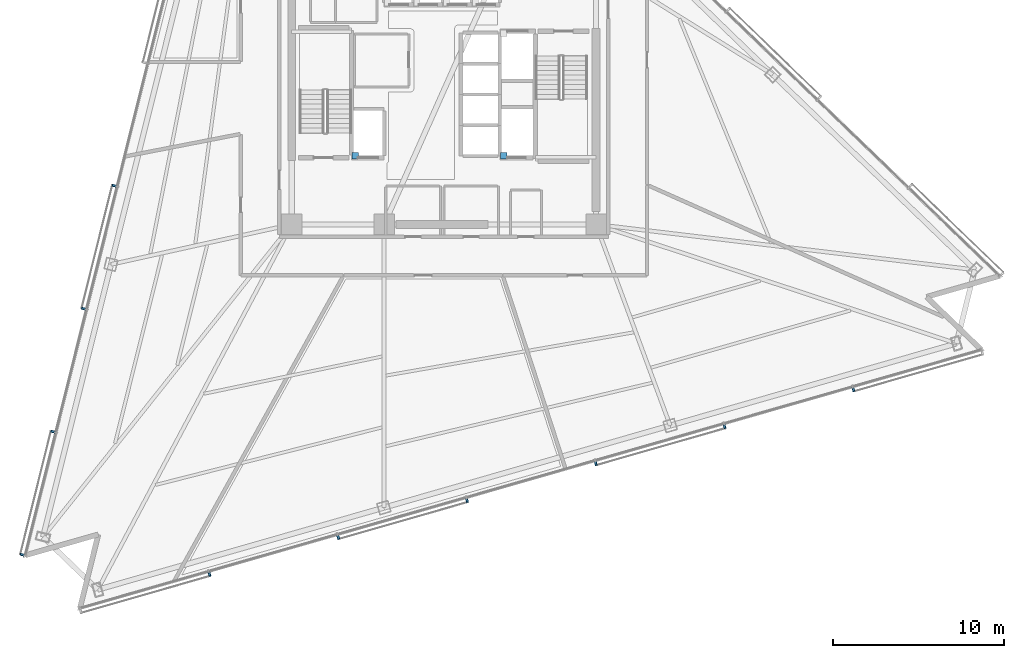
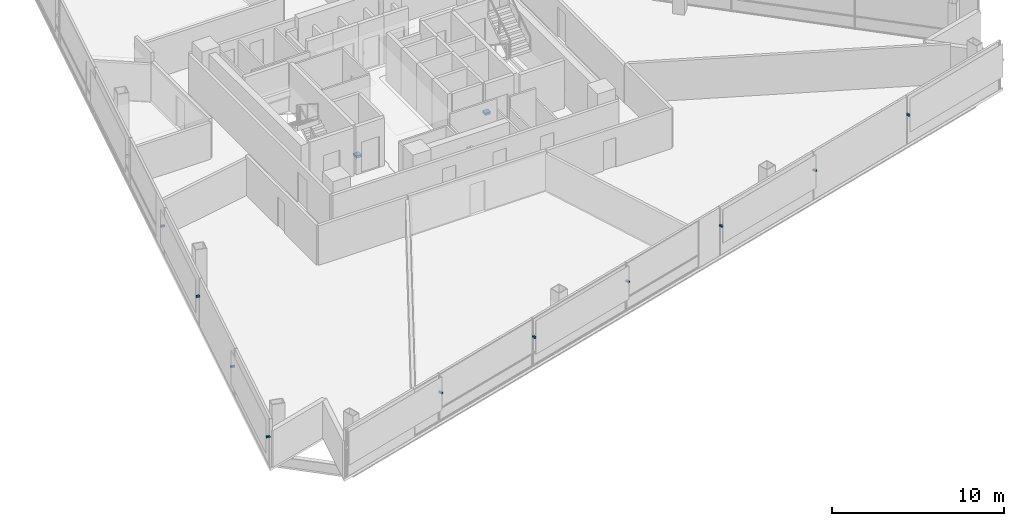
# One storey, part 12 of 17: 12 discrete accessories.
"""IFC4 building model written with IfcOpenShell, lengths in metres."""

from ifc_helpers import new_model, si_unit, direction, frame, origin, origin_2d, place, context, subcontext, project, spatial, rectangle, extrude, material, type_object, element, save


model = new_model("IFC4")

# Units and contexts
model_context = context("Model", 3, precision=1e-05, world=origin(), true_north=direction((0.0, 1.0)))
body_context = subcontext(model_context, "Body", "Model", "MODEL_VIEW")
ifc_project = project(units=[si_unit("LENGTHUNIT", "METRE"), si_unit("AREAUNIT", "SQUARE_METRE"), si_unit("VOLUMEUNIT", "CUBIC_METRE"), si_unit("PLANEANGLEUNIT", "RADIAN"), si_unit("MASSUNIT", "GRAM", prefix="KILO")], contexts=[model_context])

# Site, building, storey
site_placement = place(None, origin())
site = spatial("IfcSite", under=ifc_project, at=site_placement, CompositionType="ELEMENT")
building_placement = place(site_placement, origin())
building = spatial("IfcBuilding", under=site, at=building_placement, Name="Tharavind Bronze Gate", CompositionType="ELEMENT")
storey_placement = place(building_placement, frame((0.0, 0.0, 96.89990234375)))
storey = spatial("IfcBuildingStorey", under=building, at=storey_placement, Name="L24", CompositionType="ELEMENT", Elevation=96.89990234375)

# Discrete accessories
ifc_material_1 = material(Name="Galvanised Steel S355", Category="steel")
discrete_accessory_type_1 = type_object("IfcDiscreteAccessoryType", Name="LIFT GUIDE RAIL BRACKET", PredefinedType="BRACKET", material=ifc_material_1)
for number, where, z_axis, x_axis, name in (
    (1, (-5.179931640625, -3.580078125, 1.1201171875), (0.0, 0.0, 1.0), (1.0, 0.0, 0.0), "Lift FFL1 guide rail bracket at L24"),
    (2, (3.5, -3.580078125, 1.1201171875), (0.0, 0.0, 1.0), (1.0, 0.0, 0.0), "Lift SVL1 guide rail bracket at L24"),
):
    element("IfcDiscreteAccessory", number, at=place(storey_placement, frame(where, z_axis=z_axis, x_axis=x_axis)), inside=storey, type_object=discrete_accessory_type_1, Name=name, PredefinedType="BRACKET", context=body_context, shape_type="SweptSolid", body=[
        extrude(rectangle(XDim=0.360107421875, YDim=0.360107421875, at=origin_2d()), origin(), (0.0, 0.0, 1.0), 0.159912109375),
    ])
ifc_material_2 = material(Name="Stainless Steel 316", Category="steel")
discrete_accessory_type_2 = type_object("IfcDiscreteAccessoryType", Name="SOLAR SCREEN STANDOFF BRACKET", PredefinedType="BRACKET", material=ifc_material_2)
for number, where, z_axis, x_axis, name in (
    (3, (-19.282958984375, -5.338134765625, 2.094970703125), (0.0, 0.0, 1.0), (-0.2419218956, -0.970295726276, 0.0), "CW-L24-S1 solar screen bracket 5.1"),
    (4, (-21.07666015625, -12.531982421875, 2.094970703125), (0.0, 0.0, 1.0), (-0.2419218956, -0.970295726276, 0.0), "CW-L24-S1 solar screen bracket 5.2"),
    (5, (-22.870361328125, -19.72607421875, 2.094970703125), (0.0, 0.0, 1.0), (-0.2419218956, -0.970295726276, 0.0), "CW-L24-S1 solar screen bracket 7.1"),
    (6, (-24.6640625, -26.920166015625, 2.094970703125), (0.0, 0.0, 1.0), (-0.2419218956, -0.970295726276, 0.0), "CW-L24-S1 solar screen bracket 7.2"),
    (7, (-13.71240234375, -28.060546875, 2.094970703125), (0.0, 0.0, 1.0), (0.961261695938, 0.275637355817, 0.0), "CW-L24-S2 solar screen bracket 1.2"),
    (8, (-6.178955078125, -25.900390625, 2.094970703125), (0.0, 0.0, 1.0), (0.961261695938, 0.275637355817, 0.0), "CW-L24-S2 solar screen bracket 3.1"),
    (9, (1.3544921875, -23.740234375, 2.094970703125), (0.0, 0.0, 1.0), (0.961261695938, 0.275637355817, 0.0), "CW-L24-S2 solar screen bracket 3.2"),
    (10, (8.887939453125, -21.580078125, 2.094970703125), (0.0, 0.0, 1.0), (0.961261695938, 0.275637355817, 0.0), "CW-L24-S2 solar screen bracket 5.1"),
    (11, (16.42138671875, -19.419921875, 2.094970703125), (0.0, 0.0, 1.0), (0.961261695938, 0.275637355817, 0.0), "CW-L24-S2 solar screen bracket 5.2"),
    (12, (23.954833984375, -17.259765625, 2.094970703125), (0.0, 0.0, 1.0), (0.961261695938, 0.275637355817, 0.0), "CW-L24-S2 solar screen bracket 7.1"),
):
    element("IfcDiscreteAccessory", number, at=place(storey_placement, frame(where, z_axis=z_axis, x_axis=x_axis)), inside=storey, type_object=discrete_accessory_type_2, Name=name, PredefinedType="BRACKET", context=body_context, shape_type="SweptSolid", body=[
        extrude(rectangle(XDim=0.1201171875, YDim=0.239990234375, at=origin_2d()), origin(), (0.0, 0.0, 1.0), 0.1201171875),
    ])

save(model, "model.ifc")
